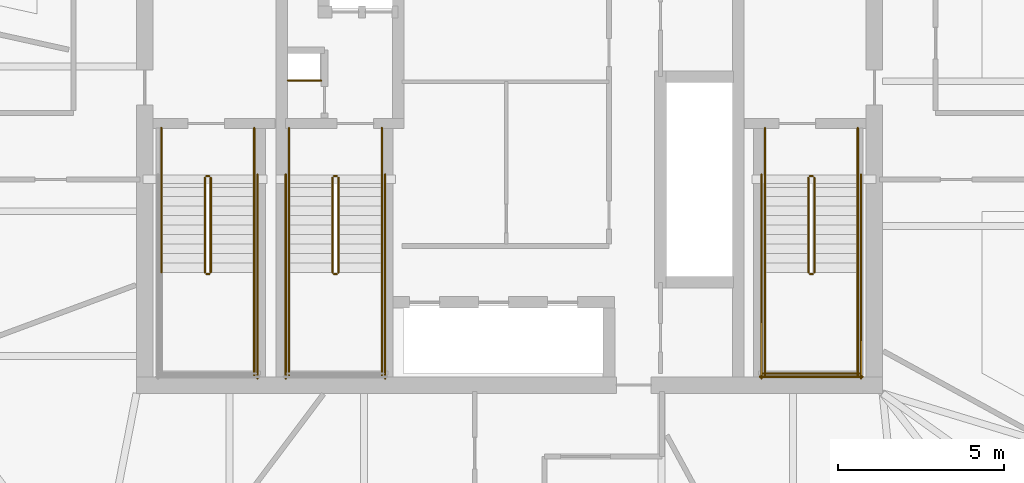
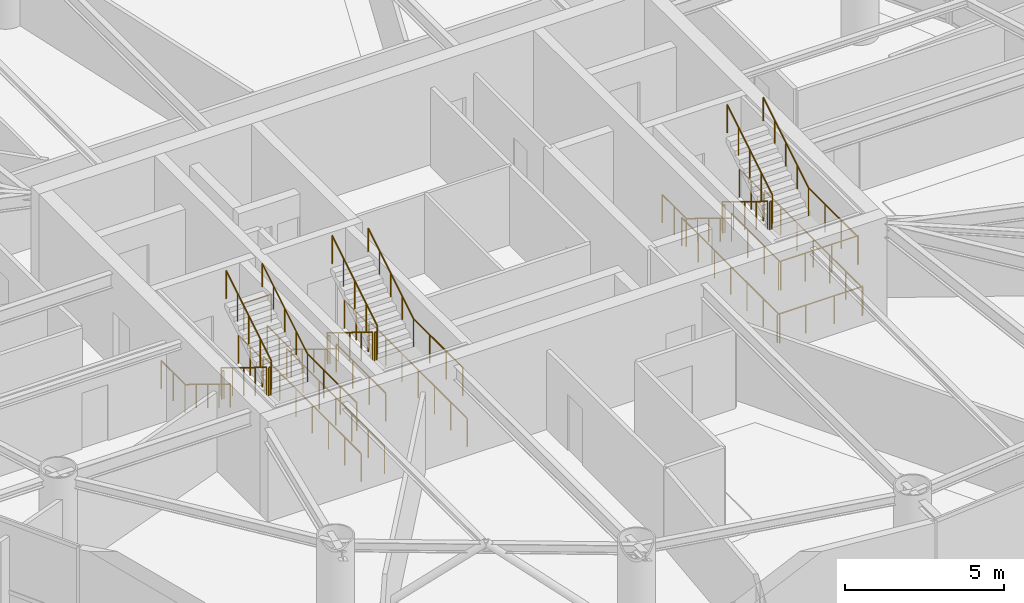
# One storey, part 22 of 23: 37 railings.
"""IFC4 building model written with IfcOpenShell, lengths in metres."""

from ifc_helpers import new_model, si_unit, direction, frame, origin, origin_2d, place, context, subcontext, project, spatial, circle, extrude, material, type_object, element, save


model = new_model("IFC4")

# Units and contexts
model_context = context("Model", 3, precision=1e-05, world=origin(), true_north=direction((0.0, 1.0)))
body_context = subcontext(model_context, "Body", "Model", "MODEL_VIEW")
ifc_project = project(units=[si_unit("LENGTHUNIT", "METRE"), si_unit("AREAUNIT", "SQUARE_METRE"), si_unit("VOLUMEUNIT", "CUBIC_METRE"), si_unit("PLANEANGLEUNIT", "RADIAN"), si_unit("MASSUNIT", "GRAM", prefix="KILO")], contexts=[model_context])

# Site, building, storey
site_placement = place(None, origin())
site = spatial("IfcSite", under=ifc_project, at=site_placement, CompositionType="ELEMENT")
building_placement = place(site_placement, origin())
building = spatial("IfcBuilding", under=site, at=building_placement, Name="Bramvorn Convention Spire", CompositionType="ELEMENT")
storey_placement = place(building_placement, frame((0.0, 0.0, 194.300048828125)))
storey = spatial("IfcBuildingStorey", under=building, at=storey_placement, Name="L49", CompositionType="ELEMENT", Elevation=194.300048828125)

# Railings
ifc_material_1 = material(Name="Painted Steel Balustrade & Guardrail", Category="steel")
railing_type_1 = type_object("IfcRailingType", Name="RL-STAIR-GUARD-1100", PredefinedType="GUARDRAIL", material=ifc_material_1)
railing_1_placement = place(storey_placement, frame((28.81005859375, 25.050048828125, 0.175048828125)))
element("IfcRailing", 1, at=railing_1_placement, inside=storey, type_object=railing_type_1, Name="L49 ST1 stair guard 1", PredefinedType="GUARDRAIL", context=body_context, shape_type="SweptSolid", body=[
    extrude(circle(Radius=0.02392578125, at=origin_2d()), frame((0.0, 0.0, 1.076171875), z_axis=(0.0, -0.852179220489, 0.52325001306), x_axis=(1.0, 0.0, 0.0)), (0.0, 0.0, 1.0), 3.344482421875),
    extrude(circle(Radius=0.02099609375, at=origin_2d()), origin(), (0.0, 0.0, 1.0), 1.052001953125),
    extrude(circle(Radius=0.02099609375, at=origin_2d()), frame((0.0, -0.71240234375, 0.4375)), (0.0, 0.0, 1.0), 1.052001953125),
    extrude(circle(Radius=0.02099609375, at=origin_2d()), frame((0.0, -1.425048828125, 0.875)), (0.0, 0.0, 1.0), 1.052001953125),
    extrude(circle(Radius=0.02099609375, at=origin_2d()), frame((0.0, -2.1376953125, 1.3125)), (0.0, 0.0, 1.0), 1.052001953125),
    extrude(circle(Radius=0.02099609375, at=origin_2d()), frame((0.0, -2.85009765625, 1.75)), (0.0, 0.0, 1.0), 1.052001953125),
])
railing_2_placement = place(storey_placement, frame((28.860107421875, 22.14990234375, 1.925048828125)))
element("IfcRailing", 2, at=railing_2_placement, inside=storey, type_object=railing_type_1, Name="L49 ST1 stair guard 2", PredefinedType="GUARDRAIL", context=body_context, shape_type="SweptSolid", body=[
    extrude(circle(Radius=0.02392578125, at=origin_2d()), frame((0.0, 0.0, 1.076171875), z_axis=(1.0, 0.0, 0.0), x_axis=(0.0, 1.0, 0.0)), (0.0, 0.0, 1.0), 0.079833984375),
    extrude(circle(Radius=0.02099609375, at=origin_2d()), origin(), (0.0, 0.0, 1.0), 1.052001953125),
    extrude(circle(Radius=0.02099609375, at=origin_2d()), frame((0.079833984375, 0.0, 0.0)), (0.0, 0.0, 1.0), 1.052001953125),
])
railing_3_placement = place(storey_placement, frame((30.300048828125, 22.199951171875, 1.925048828125)))
element("IfcRailing", 3, at=railing_3_placement, inside=storey, type_object=railing_type_1, Name="L49 ST1 stair guard 4", PredefinedType="GUARDRAIL", context=body_context, shape_type="SweptSolid", body=[
    extrude(circle(Radius=0.02392578125, at=origin_2d()), frame((0.0, 0.0, 1.076171875), z_axis=(0.0, -1.0, 0.0), x_axis=(1.0, 0.0, 0.0)), (0.0, 0.0, 1.0), 3.099853515625),
    extrude(circle(Radius=0.02099609375, at=origin_2d()), origin(), (0.0, 0.0, 1.0), 1.052001953125),
    extrude(circle(Radius=0.02099609375, at=origin_2d()), frame((0.0, -1.033203125, 0.0)), (0.0, 0.0, 1.0), 1.052001953125),
    extrude(circle(Radius=0.02099609375, at=origin_2d()), frame((0.0, -2.066650390625, 0.0)), (0.0, 0.0, 1.0), 1.052001953125),
    extrude(circle(Radius=0.02099609375, at=origin_2d()), frame((0.0, -3.099853515625, 0.0)), (0.0, 0.0, 1.0), 1.052001953125),
])
railing_4_placement = place(storey_placement, frame((28.989990234375, 22.199951171875, 2.099853515625)))
element("IfcRailing", 4, at=railing_4_placement, inside=storey, type_object=railing_type_1, Name="L49 ST1 stair guard 6", PredefinedType="GUARDRAIL", context=body_context, shape_type="SweptSolid", body=[
    extrude(circle(Radius=0.02392578125, at=origin_2d()), frame((0.0, 0.0, 1.076171875), z_axis=(0.0, 0.852179220489, 0.52325001306), x_axis=(-1.0, 0.0, 0.0)), (0.0, 0.0, 1.0), 3.344482421875),
    extrude(circle(Radius=0.02099609375, at=origin_2d()), origin(), (0.0, 0.0, 1.0), 1.052001953125),
    extrude(circle(Radius=0.02099609375, at=origin_2d()), frame((0.0, 0.71240234375, 0.4375)), (0.0, 0.0, 1.0), 1.052001953125),
    extrude(circle(Radius=0.02099609375, at=origin_2d()), frame((0.0, 1.425048828125, 0.875)), (0.0, 0.0, 1.0), 1.052001953125),
    extrude(circle(Radius=0.02099609375, at=origin_2d()), frame((0.0, 2.1376953125, 1.3125)), (0.0, 0.0, 1.0), 1.052001953125),
    extrude(circle(Radius=0.02099609375, at=origin_2d()), frame((0.0, 2.85009765625, 1.75)), (0.0, 0.0, 1.0), 1.052001953125),
])
railing_5_placement = place(storey_placement, frame((28.860107421875, 25.10009765625, 0.0)))
element("IfcRailing", 5, at=railing_5_placement, inside=storey, type_object=railing_type_1, Name="L49 ST1 stair guard 7", PredefinedType="GUARDRAIL", context=body_context, shape_type="SweptSolid", body=[
    extrude(circle(Radius=0.02392578125, at=origin_2d()), frame((0.0, 0.0, 1.076171875), z_axis=(1.0, 0.0, 0.0), x_axis=(0.0, 1.0, 0.0)), (0.0, 0.0, 1.0), 0.079833984375),
    extrude(circle(Radius=0.02099609375, at=origin_2d()), origin(), (0.0, 0.0, 1.0), 1.052001953125),
    extrude(circle(Radius=0.02099609375, at=origin_2d()), frame((0.079833984375, 0.0, 0.0)), (0.0, 0.0, 1.0), 1.052001953125),
])
for number, where, name in (
    (6, (27.5, 26.550048828125, 0.0), "L49 ST1 stair guard 8"),
    (7, (30.300048828125, 26.550048828125, 0.0), "L49 ST1 stair guard 9"),
):
    element("IfcRailing", number, at=place(storey_placement, frame(where)), inside=storey, type_object=railing_type_1, Name=name, PredefinedType="GUARDRAIL", context=body_context, shape_type="SweptSolid", body=[
        extrude(circle(Radius=0.02392578125, at=origin_2d()), frame((0.0, 0.0, 1.076171875), z_axis=(0.0, -1.0, 0.0), x_axis=(1.0, 0.0, 0.0)), (0.0, 0.0, 1.0), 1.5),
        extrude(circle(Radius=0.02099609375, at=origin_2d()), origin(), (0.0, 0.0, 1.0), 1.052001953125),
        extrude(circle(Radius=0.02099609375, at=origin_2d()), frame((0.0, -0.75, 0.0)), (0.0, 0.0, 1.0), 1.052001953125),
        extrude(circle(Radius=0.02099609375, at=origin_2d()), frame((0.0, -1.5, 0.0)), (0.0, 0.0, 1.0), 1.052001953125),
    ])
railing_6_placement = place(storey_placement, frame((30.39990234375, 25.14990234375, 0.0)))
element("IfcRailing", 8, at=railing_6_placement, inside=storey, type_object=railing_type_1, Name="L49 ST1 stair guard 11", PredefinedType="GUARDRAIL", context=body_context, shape_type="SweptSolid", body=[
    extrude(circle(Radius=0.02392578125, at=origin_2d()), frame((0.0, 0.0, 1.076171875), z_axis=(0.0, -1.0, 0.0), x_axis=(1.0, 0.0, 0.0)), (0.0, 0.0, 1.0), 6.14990234375),
    extrude(circle(Radius=0.02099609375, at=origin_2d()), origin(), (0.0, 0.0, 1.0), 1.052001953125),
    extrude(circle(Radius=0.02099609375, at=origin_2d()), frame((0.0, -1.02490234375, 0.0)), (0.0, 0.0, 1.0), 1.052001953125),
    extrude(circle(Radius=0.02099609375, at=origin_2d()), frame((0.0, -2.050048828125, 0.0)), (0.0, 0.0, 1.0), 1.052001953125),
    extrude(circle(Radius=0.02099609375, at=origin_2d()), frame((0.0, -3.074951171875, 0.0)), (0.0, 0.0, 1.0), 1.052001953125),
    extrude(circle(Radius=0.02099609375, at=origin_2d()), frame((0.0, -4.099853515625, 0.0)), (0.0, 0.0, 1.0), 1.052001953125),
    extrude(circle(Radius=0.02099609375, at=origin_2d()), frame((0.0, -5.125, 0.0)), (0.0, 0.0, 1.0), 1.052001953125),
    extrude(circle(Radius=0.02099609375, at=origin_2d()), frame((0.0, -6.14990234375, 0.0)), (0.0, 0.0, 1.0), 1.052001953125),
])
railing_7_placement = place(storey_placement, frame((47.010009765625, 25.050048828125, 0.175048828125)))
element("IfcRailing", 9, at=railing_7_placement, inside=storey, type_object=railing_type_1, Name="L49 ST2 stair guard 1", PredefinedType="GUARDRAIL", context=body_context, shape_type="SweptSolid", body=[
    extrude(circle(Radius=0.02392578125, at=origin_2d()), frame((0.0, 0.0, 1.076171875), z_axis=(0.0, -0.852179220489, 0.52325001306), x_axis=(1.0, 0.0, 0.0)), (0.0, 0.0, 1.0), 3.344482421875),
    extrude(circle(Radius=0.02099609375, at=origin_2d()), origin(), (0.0, 0.0, 1.0), 1.052001953125),
    extrude(circle(Radius=0.02099609375, at=origin_2d()), frame((0.0, -0.71240234375, 0.4375)), (0.0, 0.0, 1.0), 1.052001953125),
    extrude(circle(Radius=0.02099609375, at=origin_2d()), frame((0.0, -1.425048828125, 0.875)), (0.0, 0.0, 1.0), 1.052001953125),
    extrude(circle(Radius=0.02099609375, at=origin_2d()), frame((0.0, -2.1376953125, 1.3125)), (0.0, 0.0, 1.0), 1.052001953125),
    extrude(circle(Radius=0.02099609375, at=origin_2d()), frame((0.0, -2.85009765625, 1.75)), (0.0, 0.0, 1.0), 1.052001953125),
])
railing_8_placement = place(storey_placement, frame((47.06005859375, 22.14990234375, 1.925048828125)))
element("IfcRailing", 10, at=railing_8_placement, inside=storey, type_object=railing_type_1, Name="L49 ST2 stair guard 2", PredefinedType="GUARDRAIL", context=body_context, shape_type="SweptSolid", body=[
    extrude(circle(Radius=0.02392578125, at=origin_2d()), frame((0.0, 0.0, 1.076171875), z_axis=(1.0, 0.0, 0.0), x_axis=(0.0, 1.0, 0.0)), (0.0, 0.0, 1.0), 0.079833984375),
    extrude(circle(Radius=0.02099609375, at=origin_2d()), origin(), (0.0, 0.0, 1.0), 1.052001953125),
    extrude(circle(Radius=0.02099609375, at=origin_2d()), frame((0.079833984375, 0.0, 0.0)), (0.0, 0.0, 1.0), 1.052001953125),
])
for number, where, name in (
    (11, (45.699951171875, 22.199951171875, 1.925048828125), "L49 ST2 stair guard 3"),
    (12, (48.5, 22.199951171875, 1.925048828125), "L49 ST2 stair guard 4"),
):
    element("IfcRailing", number, at=place(storey_placement, frame(where)), inside=storey, type_object=railing_type_1, Name=name, PredefinedType="GUARDRAIL", context=body_context, shape_type="SweptSolid", body=[
        extrude(circle(Radius=0.02392578125, at=origin_2d()), frame((0.0, 0.0, 1.076171875), z_axis=(0.0, -1.0, 0.0), x_axis=(1.0, 0.0, 0.0)), (0.0, 0.0, 1.0), 3.099853515625),
        extrude(circle(Radius=0.02099609375, at=origin_2d()), origin(), (0.0, 0.0, 1.0), 1.052001953125),
        extrude(circle(Radius=0.02099609375, at=origin_2d()), frame((0.0, -1.033203125, 0.0)), (0.0, 0.0, 1.0), 1.052001953125),
        extrude(circle(Radius=0.02099609375, at=origin_2d()), frame((0.0, -2.066650390625, 0.0)), (0.0, 0.0, 1.0), 1.052001953125),
        extrude(circle(Radius=0.02099609375, at=origin_2d()), frame((0.0, -3.099853515625, 0.0)), (0.0, 0.0, 1.0), 1.052001953125),
    ])
railing_9_placement = place(storey_placement, frame((45.64990234375, 19.14990234375, 1.925048828125)))
element("IfcRailing", 13, at=railing_9_placement, inside=storey, type_object=railing_type_1, Name="L49 ST2 stair guard 5", PredefinedType="GUARDRAIL", context=body_context, shape_type="SweptSolid", body=[
    extrude(circle(Radius=0.02392578125, at=origin_2d()), frame((0.0, 0.0, 1.076171875), z_axis=(1.0, 0.0, 0.0), x_axis=(0.0, 1.0, 0.0)), (0.0, 0.0, 1.0), 2.900146484375),
    extrude(circle(Radius=0.02099609375, at=origin_2d()), origin(), (0.0, 0.0, 1.0), 1.052001953125),
    extrude(circle(Radius=0.02099609375, at=origin_2d()), frame((0.966796875, 0.0, 0.0)), (0.0, 0.0, 1.0), 1.052001953125),
    extrude(circle(Radius=0.02099609375, at=origin_2d()), frame((1.933349609375, 0.0, 0.0)), (0.0, 0.0, 1.0), 1.052001953125),
    extrude(circle(Radius=0.02099609375, at=origin_2d()), frame((2.900146484375, 0.0, 0.0)), (0.0, 0.0, 1.0), 1.052001953125),
])
railing_10_placement = place(storey_placement, frame((47.18994140625, 22.199951171875, 2.099853515625)))
element("IfcRailing", 14, at=railing_10_placement, inside=storey, type_object=railing_type_1, Name="L49 ST2 stair guard 6", PredefinedType="GUARDRAIL", context=body_context, shape_type="SweptSolid", body=[
    extrude(circle(Radius=0.02392578125, at=origin_2d()), frame((0.0, 0.0, 1.076171875), z_axis=(0.0, 0.852179220489, 0.52325001306), x_axis=(-1.0, 0.0, 0.0)), (0.0, 0.0, 1.0), 3.344482421875),
    extrude(circle(Radius=0.02099609375, at=origin_2d()), origin(), (0.0, 0.0, 1.0), 1.052001953125),
    extrude(circle(Radius=0.02099609375, at=origin_2d()), frame((0.0, 0.71240234375, 0.4375)), (0.0, 0.0, 1.0), 1.052001953125),
    extrude(circle(Radius=0.02099609375, at=origin_2d()), frame((0.0, 1.425048828125, 0.875)), (0.0, 0.0, 1.0), 1.052001953125),
    extrude(circle(Radius=0.02099609375, at=origin_2d()), frame((0.0, 2.1376953125, 1.3125)), (0.0, 0.0, 1.0), 1.052001953125),
    extrude(circle(Radius=0.02099609375, at=origin_2d()), frame((0.0, 2.85009765625, 1.75)), (0.0, 0.0, 1.0), 1.052001953125),
])
railing_11_placement = place(storey_placement, frame((47.06005859375, 25.10009765625, 0.0)))
element("IfcRailing", 15, at=railing_11_placement, inside=storey, type_object=railing_type_1, Name="L49 ST2 stair guard 7", PredefinedType="GUARDRAIL", context=body_context, shape_type="SweptSolid", body=[
    extrude(circle(Radius=0.02392578125, at=origin_2d()), frame((0.0, 0.0, 1.076171875), z_axis=(1.0, 0.0, 0.0), x_axis=(0.0, 1.0, 0.0)), (0.0, 0.0, 1.0), 0.079833984375),
    extrude(circle(Radius=0.02099609375, at=origin_2d()), origin(), (0.0, 0.0, 1.0), 1.052001953125),
    extrude(circle(Radius=0.02099609375, at=origin_2d()), frame((0.079833984375, 0.0, 0.0)), (0.0, 0.0, 1.0), 1.052001953125),
])
for number, where, name in (
    (16, (45.699951171875, 26.550048828125, 0.0), "L49 ST2 stair guard 8"),
    (17, (48.5, 26.550048828125, 0.0), "L49 ST2 stair guard 9"),
):
    element("IfcRailing", number, at=place(storey_placement, frame(where)), inside=storey, type_object=railing_type_1, Name=name, PredefinedType="GUARDRAIL", context=body_context, shape_type="SweptSolid", body=[
        extrude(circle(Radius=0.02392578125, at=origin_2d()), frame((0.0, 0.0, 1.076171875), z_axis=(0.0, -1.0, 0.0), x_axis=(1.0, 0.0, 0.0)), (0.0, 0.0, 1.0), 1.5),
        extrude(circle(Radius=0.02099609375, at=origin_2d()), origin(), (0.0, 0.0, 1.0), 1.052001953125),
        extrude(circle(Radius=0.02099609375, at=origin_2d()), frame((0.0, -0.75, 0.0)), (0.0, 0.0, 1.0), 1.052001953125),
        extrude(circle(Radius=0.02099609375, at=origin_2d()), frame((0.0, -1.5, 0.0)), (0.0, 0.0, 1.0), 1.052001953125),
    ])
for number, where, name in (
    (18, (45.60009765625, 25.14990234375, 0.0), "L49 ST2 stair guard 10"),
    (19, (48.60009765625, 25.14990234375, 0.0), "L49 ST2 stair guard 11"),
):
    element("IfcRailing", number, at=place(storey_placement, frame(where)), inside=storey, type_object=railing_type_1, Name=name, PredefinedType="GUARDRAIL", context=body_context, shape_type="SweptSolid", body=[
        extrude(circle(Radius=0.02392578125, at=origin_2d()), frame((0.0, 0.0, 1.076171875), z_axis=(0.0, -1.0, 0.0), x_axis=(1.0, 0.0, 0.0)), (0.0, 0.0, 1.0), 6.14990234375),
        extrude(circle(Radius=0.02099609375, at=origin_2d()), origin(), (0.0, 0.0, 1.0), 1.052001953125),
        extrude(circle(Radius=0.02099609375, at=origin_2d()), frame((0.0, -1.02490234375, 0.0)), (0.0, 0.0, 1.0), 1.052001953125),
        extrude(circle(Radius=0.02099609375, at=origin_2d()), frame((0.0, -2.050048828125, 0.0)), (0.0, 0.0, 1.0), 1.052001953125),
        extrude(circle(Radius=0.02099609375, at=origin_2d()), frame((0.0, -3.074951171875, 0.0)), (0.0, 0.0, 1.0), 1.052001953125),
        extrude(circle(Radius=0.02099609375, at=origin_2d()), frame((0.0, -4.099853515625, 0.0)), (0.0, 0.0, 1.0), 1.052001953125),
        extrude(circle(Radius=0.02099609375, at=origin_2d()), frame((0.0, -5.125, 0.0)), (0.0, 0.0, 1.0), 1.052001953125),
        extrude(circle(Radius=0.02099609375, at=origin_2d()), frame((0.0, -6.14990234375, 0.0)), (0.0, 0.0, 1.0), 1.052001953125),
    ])
railing_12_placement = place(storey_placement, frame((45.550048828125, 19.050048828125, 0.0)))
element("IfcRailing", 20, at=railing_12_placement, inside=storey, type_object=railing_type_1, Name="L49 ST2 stair guard 12", PredefinedType="GUARDRAIL", context=body_context, shape_type="SweptSolid", body=[
    extrude(circle(Radius=0.02392578125, at=origin_2d()), frame((0.0, 0.0, 1.076171875), z_axis=(1.0, 0.0, 0.0), x_axis=(0.0, 1.0, 0.0)), (0.0, 0.0, 1.0), 3.099853515625),
    extrude(circle(Radius=0.02099609375, at=origin_2d()), origin(), (0.0, 0.0, 1.0), 1.052001953125),
    extrude(circle(Radius=0.02099609375, at=origin_2d()), frame((1.033203125, 0.0, 0.0)), (0.0, 0.0, 1.0), 1.052001953125),
    extrude(circle(Radius=0.02099609375, at=origin_2d()), frame((2.066650390625, 0.0, 0.0)), (0.0, 0.0, 1.0), 1.052001953125),
    extrude(circle(Radius=0.02099609375, at=origin_2d()), frame((3.099853515625, 0.0, 0.0)), (0.0, 0.0, 1.0), 1.052001953125),
])
railing_13_placement = place(storey_placement, frame((32.659912109375, 25.050048828125, 0.175048828125)))
element("IfcRailing", 21, at=railing_13_placement, inside=storey, type_object=railing_type_1, Name="L49 ST3 stair guard 1", PredefinedType="GUARDRAIL", context=body_context, shape_type="SweptSolid", body=[
    extrude(circle(Radius=0.02392578125, at=origin_2d()), frame((0.0, 0.0, 1.076171875), z_axis=(0.0, -0.852179220489, 0.52325001306), x_axis=(1.0, 0.0, 0.0)), (0.0, 0.0, 1.0), 3.344482421875),
    extrude(circle(Radius=0.02099609375, at=origin_2d()), origin(), (0.0, 0.0, 1.0), 1.052001953125),
    extrude(circle(Radius=0.02099609375, at=origin_2d()), frame((0.0, -0.71240234375, 0.4375)), (0.0, 0.0, 1.0), 1.052001953125),
    extrude(circle(Radius=0.02099609375, at=origin_2d()), frame((0.0, -1.425048828125, 0.875)), (0.0, 0.0, 1.0), 1.052001953125),
    extrude(circle(Radius=0.02099609375, at=origin_2d()), frame((0.0, -2.1376953125, 1.3125)), (0.0, 0.0, 1.0), 1.052001953125),
    extrude(circle(Radius=0.02099609375, at=origin_2d()), frame((0.0, -2.85009765625, 1.75)), (0.0, 0.0, 1.0), 1.052001953125),
])
railing_14_placement = place(storey_placement, frame((32.7099609375, 22.14990234375, 1.925048828125)))
element("IfcRailing", 22, at=railing_14_placement, inside=storey, type_object=railing_type_1, Name="L49 ST3 stair guard 2", PredefinedType="GUARDRAIL", context=body_context, shape_type="SweptSolid", body=[
    extrude(circle(Radius=0.02392578125, at=origin_2d()), frame((0.0, 0.0, 1.076171875), z_axis=(1.0, 0.0, 0.0), x_axis=(0.0, 1.0, 0.0)), (0.0, 0.0, 1.0), 0.080078125),
    extrude(circle(Radius=0.02099609375, at=origin_2d()), origin(), (0.0, 0.0, 1.0), 1.052001953125),
    extrude(circle(Radius=0.02099609375, at=origin_2d()), frame((0.080078125, 0.0, 0.0)), (0.0, 0.0, 1.0), 1.052001953125),
])
for number, where, name in (
    (23, (31.35009765625, 22.199951171875, 1.925048828125), "L49 ST3 stair guard 3"),
    (24, (34.14990234375, 22.199951171875, 1.925048828125), "L49 ST3 stair guard 4"),
):
    element("IfcRailing", number, at=place(storey_placement, frame(where)), inside=storey, type_object=railing_type_1, Name=name, PredefinedType="GUARDRAIL", context=body_context, shape_type="SweptSolid", body=[
        extrude(circle(Radius=0.02392578125, at=origin_2d()), frame((0.0, 0.0, 1.076171875), z_axis=(0.0, -1.0, 0.0), x_axis=(1.0, 0.0, 0.0)), (0.0, 0.0, 1.0), 3.099853515625),
        extrude(circle(Radius=0.02099609375, at=origin_2d()), origin(), (0.0, 0.0, 1.0), 1.052001953125),
        extrude(circle(Radius=0.02099609375, at=origin_2d()), frame((0.0, -1.033203125, 0.0)), (0.0, 0.0, 1.0), 1.052001953125),
        extrude(circle(Radius=0.02099609375, at=origin_2d()), frame((0.0, -2.066650390625, 0.0)), (0.0, 0.0, 1.0), 1.052001953125),
        extrude(circle(Radius=0.02099609375, at=origin_2d()), frame((0.0, -3.099853515625, 0.0)), (0.0, 0.0, 1.0), 1.052001953125),
    ])
railing_15_placement = place(storey_placement, frame((32.840087890625, 22.199951171875, 2.099853515625)))
element("IfcRailing", 25, at=railing_15_placement, inside=storey, type_object=railing_type_1, Name="L49 ST3 stair guard 6", PredefinedType="GUARDRAIL", context=body_context, shape_type="SweptSolid", body=[
    extrude(circle(Radius=0.02392578125, at=origin_2d()), frame((0.0, 0.0, 1.076171875), z_axis=(0.0, 0.852179220489, 0.52325001306), x_axis=(-1.0, 0.0, 0.0)), (0.0, 0.0, 1.0), 3.344482421875),
    extrude(circle(Radius=0.02099609375, at=origin_2d()), origin(), (0.0, 0.0, 1.0), 1.052001953125),
    extrude(circle(Radius=0.02099609375, at=origin_2d()), frame((0.0, 0.71240234375, 0.4375)), (0.0, 0.0, 1.0), 1.052001953125),
    extrude(circle(Radius=0.02099609375, at=origin_2d()), frame((0.0, 1.425048828125, 0.875)), (0.0, 0.0, 1.0), 1.052001953125),
    extrude(circle(Radius=0.02099609375, at=origin_2d()), frame((0.0, 2.1376953125, 1.3125)), (0.0, 0.0, 1.0), 1.052001953125),
    extrude(circle(Radius=0.02099609375, at=origin_2d()), frame((0.0, 2.85009765625, 1.75)), (0.0, 0.0, 1.0), 1.052001953125),
])
railing_16_placement = place(storey_placement, frame((32.7099609375, 25.10009765625, 0.0)))
element("IfcRailing", 26, at=railing_16_placement, inside=storey, type_object=railing_type_1, Name="L49 ST3 stair guard 7", PredefinedType="GUARDRAIL", context=body_context, shape_type="SweptSolid", body=[
    extrude(circle(Radius=0.02392578125, at=origin_2d()), frame((0.0, 0.0, 1.076171875), z_axis=(1.0, 0.0, 0.0), x_axis=(0.0, 1.0, 0.0)), (0.0, 0.0, 1.0), 0.080078125),
    extrude(circle(Radius=0.02099609375, at=origin_2d()), origin(), (0.0, 0.0, 1.0), 1.052001953125),
    extrude(circle(Radius=0.02099609375, at=origin_2d()), frame((0.080078125, 0.0, 0.0)), (0.0, 0.0, 1.0), 1.052001953125),
])
for number, where, name in (
    (27, (31.35009765625, 26.550048828125, 0.0), "L49 ST3 stair guard 8"),
    (28, (34.14990234375, 26.550048828125, 0.0), "L49 ST3 stair guard 9"),
):
    element("IfcRailing", number, at=place(storey_placement, frame(where)), inside=storey, type_object=railing_type_1, Name=name, PredefinedType="GUARDRAIL", context=body_context, shape_type="SweptSolid", body=[
        extrude(circle(Radius=0.02392578125, at=origin_2d()), frame((0.0, 0.0, 1.076171875), z_axis=(0.0, -1.0, 0.0), x_axis=(1.0, 0.0, 0.0)), (0.0, 0.0, 1.0), 1.5),
        extrude(circle(Radius=0.02099609375, at=origin_2d()), origin(), (0.0, 0.0, 1.0), 1.052001953125),
        extrude(circle(Radius=0.02099609375, at=origin_2d()), frame((0.0, -0.75, 0.0)), (0.0, 0.0, 1.0), 1.052001953125),
        extrude(circle(Radius=0.02099609375, at=origin_2d()), frame((0.0, -1.5, 0.0)), (0.0, 0.0, 1.0), 1.052001953125),
    ])
for number, where, name in (
    (29, (31.25, 25.14990234375, 0.0), "L49 ST3 stair guard 10"),
    (30, (34.25, 25.14990234375, 0.0), "L49 ST3 stair guard 11"),
):
    element("IfcRailing", number, at=place(storey_placement, frame(where)), inside=storey, type_object=railing_type_1, Name=name, PredefinedType="GUARDRAIL", context=body_context, shape_type="SweptSolid", body=[
        extrude(circle(Radius=0.02392578125, at=origin_2d()), frame((0.0, 0.0, 1.076171875), z_axis=(0.0, -1.0, 0.0), x_axis=(1.0, 0.0, 0.0)), (0.0, 0.0, 1.0), 6.14990234375),
        extrude(circle(Radius=0.02099609375, at=origin_2d()), origin(), (0.0, 0.0, 1.0), 1.052001953125),
        extrude(circle(Radius=0.02099609375, at=origin_2d()), frame((0.0, -1.02490234375, 0.0)), (0.0, 0.0, 1.0), 1.052001953125),
        extrude(circle(Radius=0.02099609375, at=origin_2d()), frame((0.0, -2.050048828125, 0.0)), (0.0, 0.0, 1.0), 1.052001953125),
        extrude(circle(Radius=0.02099609375, at=origin_2d()), frame((0.0, -3.074951171875, 0.0)), (0.0, 0.0, 1.0), 1.052001953125),
        extrude(circle(Radius=0.02099609375, at=origin_2d()), frame((0.0, -4.099853515625, 0.0)), (0.0, 0.0, 1.0), 1.052001953125),
        extrude(circle(Radius=0.02099609375, at=origin_2d()), frame((0.0, -5.125, 0.0)), (0.0, 0.0, 1.0), 1.052001953125),
        extrude(circle(Radius=0.02099609375, at=origin_2d()), frame((0.0, -6.14990234375, 0.0)), (0.0, 0.0, 1.0), 1.052001953125),
    ])
railing_17_placement = place(storey_placement, frame((31.320068359375, 27.97998046875, 0.0)))
element("IfcRailing", 31, at=railing_17_placement, inside=storey, type_object=railing_type_1, Name="L49 Telecom riser shaft opening safety guardrail", PredefinedType="GUARDRAIL", context=body_context, shape_type="SweptSolid", body=[
    extrude(circle(Radius=0.02392578125, at=origin_2d()), frame((0.0, 0.0, 1.076171875), z_axis=(1.0, 0.0, 0.0), x_axis=(0.0, 1.0, 0.0)), (0.0, 0.0, 1.0), 1.0),
    extrude(circle(Radius=0.02099609375, at=origin_2d()), origin(), (0.0, 0.0, 1.0), 1.052001953125),
    extrude(circle(Radius=0.02099609375, at=origin_2d()), frame((1.0, 0.0, 0.0)), (0.0, 0.0, 1.0), 1.052001953125),
])
ifc_material_2 = material(Name="Brushed Bronze Tubular Handrail", Category="aluminium")
railing_type_2 = type_object("IfcRailingType", Name="RL-STAIR-HR-920", PredefinedType="HANDRAIL", material=ifc_material_2)
railing_18_placement = place(storey_placement, frame((27.5, 25.050048828125, 0.175048828125)))
element("IfcRailing", 32, at=railing_18_placement, inside=storey, type_object=railing_type_2, Name="L49 ST1 stair handrail 1", PredefinedType="HANDRAIL", context=body_context, shape_type="SweptSolid", body=[
    extrude(circle(Radius=0.02392578125, at=origin_2d()), frame((0.0, 0.0, 0.89599609375), z_axis=(0.0, -0.852179220489, 0.52325001306), x_axis=(1.0, 0.0, 0.0)), (0.0, 0.0, 1.0), 3.344482421875),
    extrude(circle(Radius=0.02099609375, at=origin_2d()), origin(), (0.0, 0.0, 1.0), 0.871826171875),
    extrude(circle(Radius=0.02099609375, at=origin_2d()), frame((0.0, -0.71240234375, 0.4375)), (0.0, 0.0, 1.0), 0.871826171875),
    extrude(circle(Radius=0.02099609375, at=origin_2d()), frame((0.0, -1.425048828125, 0.875)), (0.0, 0.0, 1.0), 0.871826171875),
    extrude(circle(Radius=0.02099609375, at=origin_2d()), frame((0.0, -2.1376953125, 1.3125)), (0.0, 0.0, 1.0), 0.871826171875),
    extrude(circle(Radius=0.02099609375, at=origin_2d()), frame((0.0, -2.85009765625, 1.75)), (0.0, 0.0, 1.0), 0.871826171875),
])
railing_19_placement = place(storey_placement, frame((30.300048828125, 22.199951171875, 2.099853515625)))
element("IfcRailing", 33, at=railing_19_placement, inside=storey, type_object=railing_type_2, Name="L49 ST1 stair handrail 2", PredefinedType="HANDRAIL", context=body_context, shape_type="SweptSolid", body=[
    extrude(circle(Radius=0.02392578125, at=origin_2d()), frame((0.0, 0.0, 0.89599609375), z_axis=(0.0, 0.852179220489, 0.52325001306), x_axis=(-1.0, 0.0, 0.0)), (0.0, 0.0, 1.0), 3.344482421875),
    extrude(circle(Radius=0.02099609375, at=origin_2d()), origin(), (0.0, 0.0, 1.0), 0.871826171875),
    extrude(circle(Radius=0.02099609375, at=origin_2d()), frame((0.0, 0.71240234375, 0.4375)), (0.0, 0.0, 1.0), 0.871826171875),
    extrude(circle(Radius=0.02099609375, at=origin_2d()), frame((0.0, 1.425048828125, 0.875)), (0.0, 0.0, 1.0), 0.871826171875),
    extrude(circle(Radius=0.02099609375, at=origin_2d()), frame((0.0, 2.1376953125, 1.3125)), (0.0, 0.0, 1.0), 0.871826171875),
    extrude(circle(Radius=0.02099609375, at=origin_2d()), frame((0.0, 2.85009765625, 1.75)), (0.0, 0.0, 1.0), 0.871826171875),
])
railing_20_placement = place(storey_placement, frame((45.699951171875, 25.050048828125, 0.175048828125)))
element("IfcRailing", 34, at=railing_20_placement, inside=storey, type_object=railing_type_2, Name="L49 ST2 stair handrail 1", PredefinedType="HANDRAIL", context=body_context, shape_type="SweptSolid", body=[
    extrude(circle(Radius=0.02392578125, at=origin_2d()), frame((0.0, 0.0, 0.89599609375), z_axis=(0.0, -0.852179220489, 0.52325001306), x_axis=(1.0, 0.0, 0.0)), (0.0, 0.0, 1.0), 3.344482421875),
    extrude(circle(Radius=0.02099609375, at=origin_2d()), origin(), (0.0, 0.0, 1.0), 0.871826171875),
    extrude(circle(Radius=0.02099609375, at=origin_2d()), frame((0.0, -0.71240234375, 0.4375)), (0.0, 0.0, 1.0), 0.871826171875),
    extrude(circle(Radius=0.02099609375, at=origin_2d()), frame((0.0, -1.425048828125, 0.875)), (0.0, 0.0, 1.0), 0.871826171875),
    extrude(circle(Radius=0.02099609375, at=origin_2d()), frame((0.0, -2.1376953125, 1.3125)), (0.0, 0.0, 1.0), 0.871826171875),
    extrude(circle(Radius=0.02099609375, at=origin_2d()), frame((0.0, -2.85009765625, 1.75)), (0.0, 0.0, 1.0), 0.871826171875),
])
railing_21_placement = place(storey_placement, frame((48.5, 22.199951171875, 2.099853515625)))
element("IfcRailing", 35, at=railing_21_placement, inside=storey, type_object=railing_type_2, Name="L49 ST2 stair handrail 2", PredefinedType="HANDRAIL", context=body_context, shape_type="SweptSolid", body=[
    extrude(circle(Radius=0.02392578125, at=origin_2d()), frame((0.0, 0.0, 0.89599609375), z_axis=(0.0, 0.852179220489, 0.52325001306), x_axis=(-1.0, 0.0, 0.0)), (0.0, 0.0, 1.0), 3.344482421875),
    extrude(circle(Radius=0.02099609375, at=origin_2d()), origin(), (0.0, 0.0, 1.0), 0.871826171875),
    extrude(circle(Radius=0.02099609375, at=origin_2d()), frame((0.0, 0.71240234375, 0.4375)), (0.0, 0.0, 1.0), 0.871826171875),
    extrude(circle(Radius=0.02099609375, at=origin_2d()), frame((0.0, 1.425048828125, 0.875)), (0.0, 0.0, 1.0), 0.871826171875),
    extrude(circle(Radius=0.02099609375, at=origin_2d()), frame((0.0, 2.1376953125, 1.3125)), (0.0, 0.0, 1.0), 0.871826171875),
    extrude(circle(Radius=0.02099609375, at=origin_2d()), frame((0.0, 2.85009765625, 1.75)), (0.0, 0.0, 1.0), 0.871826171875),
])
railing_22_placement = place(storey_placement, frame((31.35009765625, 25.050048828125, 0.175048828125)))
element("IfcRailing", 36, at=railing_22_placement, inside=storey, type_object=railing_type_2, Name="L49 ST3 stair handrail 1", PredefinedType="HANDRAIL", context=body_context, shape_type="SweptSolid", body=[
    extrude(circle(Radius=0.02392578125, at=origin_2d()), frame((0.0, 0.0, 0.89599609375), z_axis=(0.0, -0.852179220489, 0.52325001306), x_axis=(1.0, 0.0, 0.0)), (0.0, 0.0, 1.0), 3.344482421875),
    extrude(circle(Radius=0.02099609375, at=origin_2d()), origin(), (0.0, 0.0, 1.0), 0.871826171875),
    extrude(circle(Radius=0.02099609375, at=origin_2d()), frame((0.0, -0.71240234375, 0.4375)), (0.0, 0.0, 1.0), 0.871826171875),
    extrude(circle(Radius=0.02099609375, at=origin_2d()), frame((0.0, -1.425048828125, 0.875)), (0.0, 0.0, 1.0), 0.871826171875),
    extrude(circle(Radius=0.02099609375, at=origin_2d()), frame((0.0, -2.1376953125, 1.3125)), (0.0, 0.0, 1.0), 0.871826171875),
    extrude(circle(Radius=0.02099609375, at=origin_2d()), frame((0.0, -2.85009765625, 1.75)), (0.0, 0.0, 1.0), 0.871826171875),
])
railing_23_placement = place(storey_placement, frame((34.14990234375, 22.199951171875, 2.099853515625)))
element("IfcRailing", 37, at=railing_23_placement, inside=storey, type_object=railing_type_2, Name="L49 ST3 stair handrail 2", PredefinedType="HANDRAIL", context=body_context, shape_type="SweptSolid", body=[
    extrude(circle(Radius=0.02392578125, at=origin_2d()), frame((0.0, 0.0, 0.89599609375), z_axis=(0.0, 0.852179220489, 0.52325001306), x_axis=(-1.0, 0.0, 0.0)), (0.0, 0.0, 1.0), 3.344482421875),
    extrude(circle(Radius=0.02099609375, at=origin_2d()), origin(), (0.0, 0.0, 1.0), 0.871826171875),
    extrude(circle(Radius=0.02099609375, at=origin_2d()), frame((0.0, 0.71240234375, 0.4375)), (0.0, 0.0, 1.0), 0.871826171875),
    extrude(circle(Radius=0.02099609375, at=origin_2d()), frame((0.0, 1.425048828125, 0.875)), (0.0, 0.0, 1.0), 0.871826171875),
    extrude(circle(Radius=0.02099609375, at=origin_2d()), frame((0.0, 2.1376953125, 1.3125)), (0.0, 0.0, 1.0), 0.871826171875),
    extrude(circle(Radius=0.02099609375, at=origin_2d()), frame((0.0, 2.85009765625, 1.75)), (0.0, 0.0, 1.0), 0.871826171875),
])

save(model, "model.ifc")
